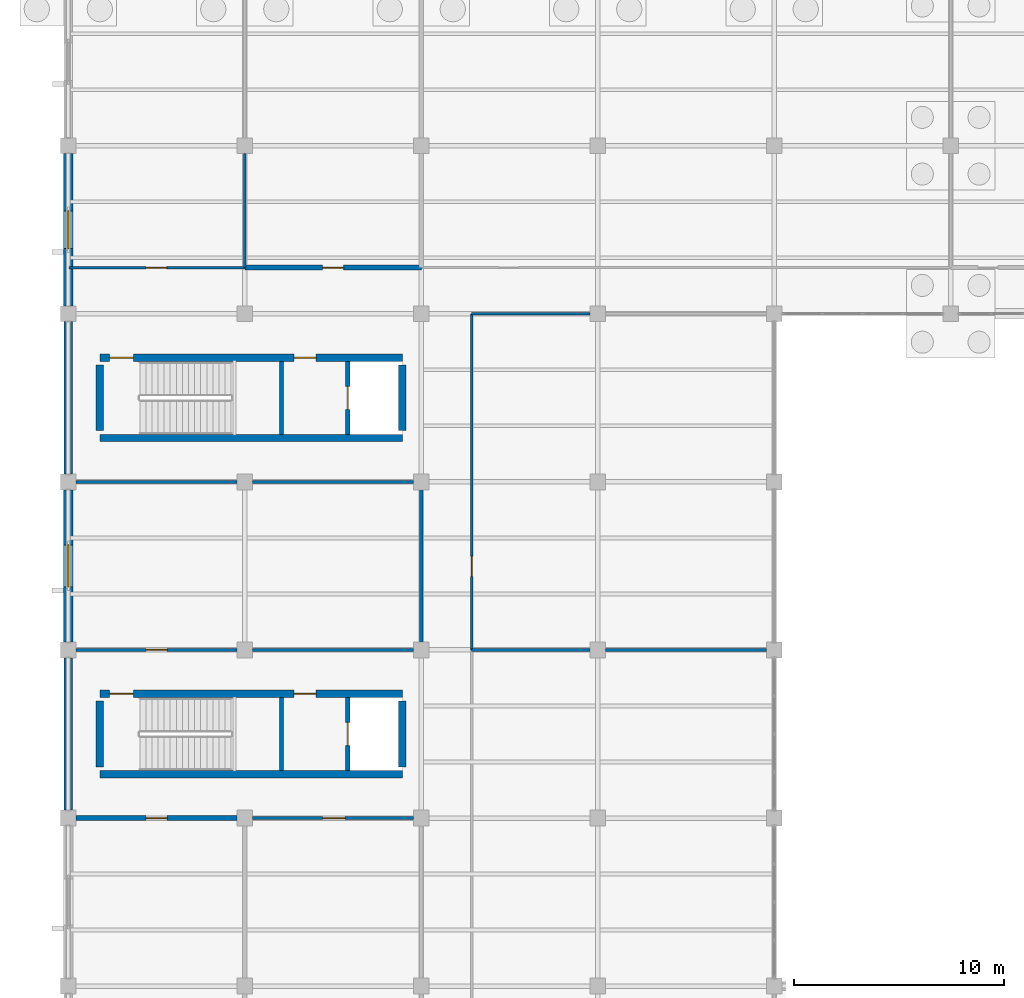
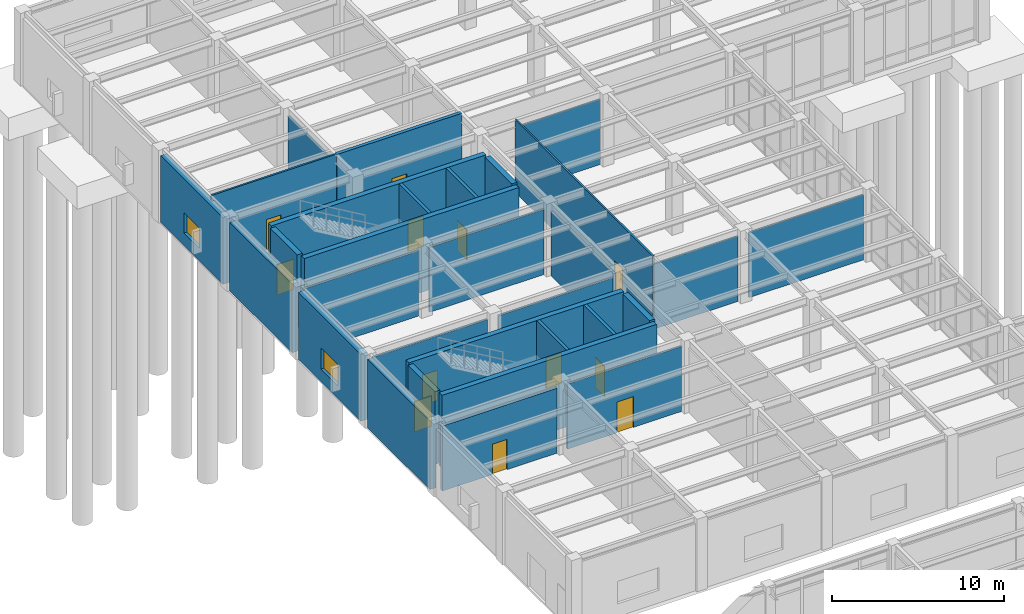
# One storey, part 81 of 138: 30 walls, 12 doors, 2 windows, 14 openings.
"""IFC4 building model written with IfcOpenShell, lengths in metres."""

import ifcopenshell
import ifcopenshell.guid

model = None  # the IFC model being written
_history = None  # IfcOwnerHistory: only IFC2X3 demands one
_inside = {}  # id of a spatial element -> (the spatial element, [elements in it])
_under = {}  # id of a project, library or spatial element -> (it, [spatial elements below it])
_declared = {}  # id of a project -> (the project, [libraries it declares])
_typed = {}  # id of a type object -> (the type object, [elements of that type])
_made_of = {}  # id of a material, layer set ... -> (it, [elements and type objects made of it])


def new_model(schema):
    """Start an empty IFC model of exactly this schema.

    Asked for "IFC4X3", IfcOpenShell would pick the latest addendum, in which some entities
    have other attributes; the version numbers below select the first issue.
    IFC2X3 requires an IfcOwnerHistory on every rooted entity: one is made here for all.
    """
    global model, _history
    if schema == "IFC4X3":
        model = ifcopenshell.file(schema_version=(4, 3, 0, 0))
    else:
        model = ifcopenshell.file(schema=schema)
    _inside.clear()
    _under.clear()
    _declared.clear()
    _typed.clear()
    _made_of.clear()
    _history = None
    if model.schema == "IFC2X3":
        org = make("IfcOrganization", Name="unknown")
        user = make(
            "IfcPersonAndOrganization",
            ThePerson=make("IfcPerson", FamilyName="unknown"),
            TheOrganization=org,
        )
        app = make(
            "IfcApplication",
            ApplicationDeveloper=org,
            Version="unknown",
            ApplicationFullName="unknown",
            ApplicationIdentifier="unknown",
        )
        _history = make(
            "IfcOwnerHistory",
            OwningUser=user,
            OwningApplication=app,
            ChangeAction="ADDED",
            CreationDate=0,
        )
    return model


def make(cls, **values):
    """One entity of the class cls with the attributes given. An attribute that is None is left unset."""
    return model.create_entity(
        cls, **{name: value for name, value in values.items() if value is not None}
    )


def rooted(cls, **values):
    """An entity with a GlobalId (a new one), such as an element, a storey or a relation."""
    return make(cls, GlobalId=ifcopenshell.guid.new(), OwnerHistory=_history, **values)


def si_unit(unit_type, name, prefix=None):
    """IfcSIUnit, for example si_unit("LENGTHUNIT", "METRE", prefix="MILLI")."""
    return make("IfcSIUnit", UnitType=unit_type, Prefix=prefix, Name=name)


def assignment(units):
    """IfcUnitAssignment: the units of a project."""
    return None if units is None else make("IfcUnitAssignment", Units=units)


def point(xyz):
    """IfcCartesianPoint."""
    return None if xyz is None else make("IfcCartesianPoint", Coordinates=xyz)


def direction(xyz):
    """IfcDirection."""
    return None if xyz is None else make("IfcDirection", DirectionRatios=xyz)


def frame(location, z_axis=None, x_axis=None):
    """IfcAxis2Placement3D, a coordinate frame: its origin and axes. An axis left out is left unset."""
    return make(
        "IfcAxis2Placement3D",
        Location=point(location),
        Axis=direction(z_axis),
        RefDirection=direction(x_axis),
    )


def frame_2d(location, x_axis=None):
    """IfcAxis2Placement2D, a coordinate frame in the plane: its origin and x axis."""
    return make(
        "IfcAxis2Placement2D", Location=point(location), RefDirection=direction(x_axis)
    )


def origin():
    """The frame at (0, 0, 0) with its axes left unset."""
    return frame((0.0, 0.0, 0.0))


def place(relative_to, where):
    """IfcLocalPlacement: puts the frame where relative to a parent placement (None: the world)."""
    return make(
        "IfcLocalPlacement", PlacementRelTo=relative_to, RelativePlacement=where
    )


def context(
    kind, dimensions, precision=None, world=None, true_north=None, identifier=None
):
    """IfcGeometricRepresentationContext, for example the 3D "Model" context."""
    return make(
        "IfcGeometricRepresentationContext",
        ContextIdentifier=identifier,
        ContextType=kind,
        CoordinateSpaceDimension=dimensions,
        Precision=precision,
        WorldCoordinateSystem=world,
        TrueNorth=true_north,
    )


def subcontext(parent, identifier, kind, view, scale=None):
    """IfcGeometricRepresentationSubContext, for example "Body" below "Model"."""
    return make(
        "IfcGeometricRepresentationSubContext",
        ContextIdentifier=identifier,
        ContextType=kind,
        ParentContext=parent,
        TargetScale=scale,
        TargetView=view,
    )


def project(units=None, contexts=None):
    """IfcProject with its units and contexts."""
    return rooted(
        "IfcProject",
        Name="project",
        RepresentationContexts=contexts,
        UnitsInContext=assignment(units),
    )


def spatial(cls, under=None, at=None, **own):
    """A site, building, storey or space (cls), placed at a placement, below another one or the project."""
    s = rooted(cls, ObjectPlacement=at, **own)
    if under is not None:
        _under.setdefault(under.id(), (under, []))[1].append(s)
    return s


def profile(cls, at=None, kind="AREA", **sizes):
    """A parametric profile (cls). Its sizes go by their IFC names, for example OverallWidth=200.0."""
    return make(cls, ProfileType=kind, Position=at, **sizes)


def rectangle(**sizes):
    """IfcRectangleProfileDef."""
    return profile("IfcRectangleProfileDef", **sizes)


def extrude(swept, where, along, depth):
    """IfcExtrudedAreaSolid: the profile swept, set in the frame where, extruded along a direction by depth."""
    return make(
        "IfcExtrudedAreaSolid",
        SweptArea=swept,
        Position=where,
        ExtrudedDirection=direction(along),
        Depth=depth,
    )


def shape(context_of_items, identifier, shape_type, items):
    """IfcShapeRepresentation: the items that make up one representation, for example the "Body"."""
    return make(
        "IfcShapeRepresentation",
        ContextOfItems=context_of_items,
        RepresentationIdentifier=identifier,
        RepresentationType=shape_type,
        Items=items,
    )


def material(Name=None, Category=None):
    """IfcMaterial."""
    return make("IfcMaterial", Name=Name, Category=Category)


def layer(
    of_material, thickness, ventilated=None, Name=None, Category=None, Priority=None
):
    """IfcMaterialLayer: one layer of a wall or slab, of a material (None: an air gap)."""
    return make(
        "IfcMaterialLayer",
        Material=of_material,
        LayerThickness=thickness,
        IsVentilated=ventilated,
        Name=Name,
        Category=Category,
        Priority=Priority,
    )


def layer_set(layers, Name=None):
    """IfcMaterialLayerSet."""
    return make("IfcMaterialLayerSet", MaterialLayers=layers, LayerSetName=Name)


def made_of(thing, what):
    """Note that an element or type object is made of a material, layer set ...; save() writes the relation."""
    if what is not None:
        _made_of.setdefault(what.id(), (what, []))[1].append(thing)
    return thing


def type_object(cls, material=None, **own):
    """A type object (cls), such as IfcWallType, which elements share."""
    return made_of(rooted(cls, **own), material)


def element(
    cls,
    number,
    at=None,
    inside=None,
    cuts=None,
    type_object=None,
    material=None,
    context=None,
    identifier="Body",
    shape_type=None,
    held_by="IfcProductDefinitionShape",
    body=None,
    shapes=None,
    **own,
):
    """One element of the class cls, such as IfcWall. Its Tag is "e" and its number.

    at: its placement. inside: the storey or other place that contains it. cuts: it is an
    opening in that element (IfcRelVoidsElement). A single representation is given by context,
    identifier, shape_type and body (its items); several are given by shapes. held_by: the class
    of the entity that holds the representations. save() writes the other relations.
    """
    e = rooted(cls, Tag="e%d" % number, ObjectPlacement=at, **own)
    if body is not None:
        shapes = [shape(context, identifier, shape_type, body)]
    if shapes is not None:
        e.Representation = make(held_by, Representations=shapes)
    if inside is not None:
        _inside.setdefault(inside.id(), (inside, []))[1].append(e)
    if cuts is not None:
        rooted(
            "IfcRelVoidsElement", RelatingBuildingElement=cuts, RelatedOpeningElement=e
        )
    if type_object is not None:
        _typed.setdefault(type_object.id(), (type_object, []))[1].append(e)
    return made_of(e, material)


def fill(opening, filler):
    """IfcRelFillsElement: the door or window that sits in an opening."""
    return rooted(
        "IfcRelFillsElement",
        RelatingOpeningElement=opening,
        RelatedBuildingElement=filler,
    )


def aggregate(whole, parts):
    """IfcRelAggregates: a whole, such as a stair, and the parts it consists of."""
    return rooted("IfcRelAggregates", RelatingObject=whole, RelatedObjects=parts)


def save(model, path):
    """Write the relations noted so far, then the file.

    IfcRelAggregates (storeys below a building ...), IfcRelContainedInSpatialStructure (elements
    in a storey), IfcRelDefinesByType, IfcRelAssociatesMaterial and IfcRelDeclares: one each for
    every whole, place, type object, material and project.
    """
    for whole, parts in _under.values():
        aggregate(whole, parts)
    for where, things in _inside.values():
        rooted(
            "IfcRelContainedInSpatialStructure",
            RelatedElements=things,
            RelatingStructure=where,
        )
    for kind, things in _typed.values():
        rooted("IfcRelDefinesByType", RelatedObjects=things, RelatingType=kind)
    for what, things in _made_of.values():
        rooted("IfcRelAssociatesMaterial", RelatedObjects=things, RelatingMaterial=what)
    for by, libraries in _declared.values():
        rooted("IfcRelDeclares", RelatingContext=by, RelatedDefinitions=libraries)
    model.write(path)


model = new_model("IFC4")

# Units and contexts
model_context = context("Model", 3, precision=1e-05, world=origin(), true_north=direction((0.0, 1.0)))
body_context = subcontext(model_context, "Body", "Model", "MODEL_VIEW")
ifc_project = project(units=[si_unit("LENGTHUNIT", "METRE"), si_unit("AREAUNIT", "SQUARE_METRE"), si_unit("VOLUMEUNIT", "CUBIC_METRE"), si_unit("PLANEANGLEUNIT", "RADIAN"), si_unit("MASSUNIT", "GRAM", prefix="KILO")], contexts=[model_context])

# Site, building, storey
site_placement = place(None, origin())
site = spatial("IfcSite", under=ifc_project, at=site_placement, CompositionType="ELEMENT")
building_placement = place(site_placement, origin())
building = spatial("IfcBuilding", under=site, at=building_placement, Name="Kranzveld Transit Interchange", CompositionType="ELEMENT")
storey_placement = place(building_placement, origin())
storey = spatial("IfcBuildingStorey", under=building, at=storey_placement, Name="L00", CompositionType="ELEMENT", Elevation=0.0)

# Wall
ifc_material_1 = material(Name="Concrete C40/50", Category="concrete")
ifc_layer_1 = layer(ifc_material_1, 0.35009765625)
ifc_layer_set_1 = layer_set([ifc_layer_1], Name="Concrete C40/50")
wall_type_1 = type_object("IfcWallType", Name="Core Shear Wall RC 350 C40/50", PredefinedType="SHEAR", material=ifc_layer_set_1)
wall_1_placement = place(storey_placement, frame((1.5, 66.090087890625, 0.0), z_axis=(0.0, 0.0, 1.0), x_axis=(1.0, 0.0, 0.0)))
element("IfcWall", 1, at=wall_1_placement, inside=storey, type_object=wall_type_1, Name="L00 Operations Core C1 Shear Wall S", PredefinedType="SHEAR", context=body_context, shape_type="SweptSolid", body=[
    extrude(rectangle(XDim=14.39990234375, YDim=0.35009765625, at=frame_2d((7.199951171875, 0.0))), origin(), (0.0, 0.0, 1.0), 5.14990234375),
])

# Wall, openings, doors
wall_2_placement = place(storey_placement, frame((1.5, 69.909912109375, 0.0), z_axis=(0.0, 0.0, 1.0), x_axis=(1.0, 0.0, 0.0)))
wall_2 = element("IfcWall", 2, at=wall_2_placement, inside=storey, type_object=wall_type_1, Name="L00 Operations Core C1 Shear Wall N", PredefinedType="SHEAR", context=body_context, shape_type="SweptSolid", body=[
    extrude(rectangle(XDim=14.39990234375, YDim=0.35009765625, at=frame_2d((7.199951171875, 0.0))), origin(), (0.0, 0.0, 1.0), 5.14990234375),
])
opening_1_placement = place(wall_2_placement, frame((0.449951171875, 0.0, 0.0), z_axis=(0.0, 0.0, 1.0), x_axis=(1.0, 0.0, 0.0)))
opening_1 = element("IfcOpeningElement", 3, at=opening_1_placement, cuts=wall_2, Name="Opening D-ST-C1-L00", PredefinedType="OPENING", context=body_context, shape_type="SweptSolid", body=[
    extrude(rectangle(XDim=1.14990234375, YDim=2.14990234375, at=frame_2d((0.574951171875, 1.074951171875))), frame((0.0, 0.18505859375, 0.0), z_axis=(0.0, -1.0, 0.0), x_axis=(1.0, 0.0, 0.0)), (0.0, 0.0, 1.0), 0.3701171875),
])
opening_2_placement = place(wall_2_placement, frame((9.25, 0.0, 0.0), z_axis=(0.0, 0.0, 1.0), x_axis=(1.0, 0.0, 0.0)))
opening_2 = element("IfcOpeningElement", 4, at=opening_2_placement, cuts=wall_2, Name="Opening D-LB-C1-L00", PredefinedType="OPENING", context=body_context, shape_type="SweptSolid", body=[
    extrude(rectangle(XDim=1.050048828125, YDim=2.14990234375, at=frame_2d((0.52490234375, 1.074951171875))), frame((0.0, 0.18505859375, 0.0), z_axis=(0.0, -1.0, 0.0), x_axis=(1.0, 0.0, 0.0)), (0.0, 0.0, 1.0), 0.3701171875),
])
ifc_material_2 = material(Name="Steel S355JR", Category="steel")
door_type_1 = type_object("IfcDoorType", Name="Lift Lobby Fire Door 1050x2150 FD120S", OperationType="NOTDEFINED", PredefinedType="DOOR", material=ifc_material_2)
door_1_placement = place(opening_2_placement, origin())
door_1 = element("IfcDoor", 5, at=door_1_placement, inside=storey, type_object=door_type_1, Name="L00 Operations Core C1 Lift Protected Lobby Door", OperationType="SINGLE_SWING_RIGHT", OverallHeight=2.14990234375, OverallWidth=1.050048828125, PredefinedType="DOOR", context=body_context, shape_type="SweptSolid", body=[
    extrude(rectangle(XDim=1.050048828125, YDim=2.14990234375, at=frame_2d((0.52490234375, 1.074951171875))), frame((0.0, 0.02490234375, 0.0), z_axis=(0.0, -1.0, 0.0), x_axis=(1.0, 0.0, 0.0)), (0.0, 0.0, 1.0), 0.050048828125),
])
fill(opening_2, door_1)
ifc_material_3 = material(Name="Steel S355JR", Category="steel")
door_type_2 = type_object("IfcDoorType", Name="Stair Core Fire Door 1150x2150 FD120S", OperationType="NOTDEFINED", PredefinedType="DOOR", material=ifc_material_3)
door_2_placement = place(opening_1_placement, origin())
door_2 = element("IfcDoor", 6, at=door_2_placement, inside=storey, type_object=door_type_2, Name="L00 ST-C1 Protected Stair Door", OperationType="SINGLE_SWING_RIGHT", OverallHeight=2.14990234375, OverallWidth=1.14990234375, PredefinedType="DOOR", context=body_context, shape_type="SweptSolid", body=[
    extrude(rectangle(XDim=1.14990234375, YDim=2.14990234375, at=frame_2d((0.574951171875, 1.074951171875))), frame((0.0, 0.02490234375, 0.0), z_axis=(0.0, -1.0, 0.0), x_axis=(1.0, 0.0, 0.0)), (0.0, 0.0, 1.0), 0.050048828125),
])
fill(opening_1, door_2)

# Walls
for number, where, z_axis, x_axis, name in (
    (7, (1.5, 66.43994140625, 0.0), (0.0, 0.0, 1.0), (0.0, 1.0, 0.0), "L00 Operations Core C1 Shear Wall W"),
    (8, (15.89990234375, 66.43994140625, 0.0), (0.0, 0.0, 1.0), (0.0, 1.0, 0.0), "L00 Operations Core C1 Shear Wall E"),
):
    element("IfcWall", number, at=place(storey_placement, frame(where, z_axis=z_axis, x_axis=x_axis)), inside=storey, type_object=wall_type_1, Name=name, PredefinedType="SHEAR", context=body_context, shape_type="SweptSolid", body=[
        extrude(rectangle(XDim=3.1201171875, YDim=0.35009765625, at=frame_2d((1.56005859375, 0.0))), origin(), (0.0, 0.0, 1.0), 5.14990234375),
    ])
wall_3_placement = place(storey_placement, frame((1.5, 82.090087890625, 0.0), z_axis=(0.0, 0.0, 1.0), x_axis=(1.0, 0.0, 0.0)))
element("IfcWall", 9, at=wall_3_placement, inside=storey, type_object=wall_type_1, Name="L00 Operations Core C2 Shear Wall S", PredefinedType="SHEAR", context=body_context, shape_type="SweptSolid", body=[
    extrude(rectangle(XDim=14.39990234375, YDim=0.35009765625, at=frame_2d((7.199951171875, 0.0))), origin(), (0.0, 0.0, 1.0), 5.14990234375),
])

# Wall, openings, doors
wall_4_placement = place(storey_placement, frame((1.5, 85.909912109375, 0.0), z_axis=(0.0, 0.0, 1.0), x_axis=(1.0, 0.0, 0.0)))
wall_4 = element("IfcWall", 10, at=wall_4_placement, inside=storey, type_object=wall_type_1, Name="L00 Operations Core C2 Shear Wall N", PredefinedType="SHEAR", context=body_context, shape_type="SweptSolid", body=[
    extrude(rectangle(XDim=14.39990234375, YDim=0.35009765625, at=frame_2d((7.199951171875, 0.0))), origin(), (0.0, 0.0, 1.0), 5.14990234375),
])
opening_3_placement = place(wall_4_placement, frame((0.449951171875, 0.0, 0.0), z_axis=(0.0, 0.0, 1.0), x_axis=(1.0, 0.0, 0.0)))
opening_3 = element("IfcOpeningElement", 11, at=opening_3_placement, cuts=wall_4, Name="Opening D-ST-C2-L00", PredefinedType="OPENING", context=body_context, shape_type="SweptSolid", body=[
    extrude(rectangle(XDim=1.14990234375, YDim=2.14990234375, at=frame_2d((0.574951171875, 1.074951171875))), frame((0.0, 0.18505859375, 0.0), z_axis=(0.0, -1.0, 0.0), x_axis=(1.0, 0.0, 0.0)), (0.0, 0.0, 1.0), 0.3701171875),
])
opening_4_placement = place(wall_4_placement, frame((9.25, 0.0, 0.0), z_axis=(0.0, 0.0, 1.0), x_axis=(1.0, 0.0, 0.0)))
opening_4 = element("IfcOpeningElement", 12, at=opening_4_placement, cuts=wall_4, Name="Opening D-LB-C2-L00", PredefinedType="OPENING", context=body_context, shape_type="SweptSolid", body=[
    extrude(rectangle(XDim=1.050048828125, YDim=2.14990234375, at=frame_2d((0.52490234375, 1.074951171875))), frame((0.0, 0.18505859375, 0.0), z_axis=(0.0, -1.0, 0.0), x_axis=(1.0, 0.0, 0.0)), (0.0, 0.0, 1.0), 0.3701171875),
])
door_3_placement = place(opening_4_placement, origin())
door_3 = element("IfcDoor", 13, at=door_3_placement, inside=storey, type_object=door_type_1, Name="L00 Operations Core C2 Lift Protected Lobby Door", OperationType="SINGLE_SWING_RIGHT", OverallHeight=2.14990234375, OverallWidth=1.050048828125, PredefinedType="DOOR", context=body_context, shape_type="SweptSolid", body=[
    extrude(rectangle(XDim=1.050048828125, YDim=2.14990234375, at=frame_2d((0.52490234375, 1.074951171875))), frame((0.0, 0.02490234375, 0.0), z_axis=(0.0, -1.0, 0.0), x_axis=(1.0, 0.0, 0.0)), (0.0, 0.0, 1.0), 0.050048828125),
])
fill(opening_4, door_3)
door_4_placement = place(opening_3_placement, origin())
door_4 = element("IfcDoor", 14, at=door_4_placement, inside=storey, type_object=door_type_2, Name="L00 ST-C2 Protected Stair Door", OperationType="SINGLE_SWING_RIGHT", OverallHeight=2.14990234375, OverallWidth=1.14990234375, PredefinedType="DOOR", context=body_context, shape_type="SweptSolid", body=[
    extrude(rectangle(XDim=1.14990234375, YDim=2.14990234375, at=frame_2d((0.574951171875, 1.074951171875))), frame((0.0, 0.02490234375, 0.0), z_axis=(0.0, -1.0, 0.0), x_axis=(1.0, 0.0, 0.0)), (0.0, 0.0, 1.0), 0.050048828125),
])
fill(opening_3, door_4)

# Walls
for number, where, z_axis, x_axis, name in (
    (15, (1.5, 82.43994140625, 0.0), (0.0, 0.0, 1.0), (0.0, 1.0, 0.0), "L00 Operations Core C2 Shear Wall W"),
    (16, (15.89990234375, 82.43994140625, 0.0), (0.0, 0.0, 1.0), (0.0, 1.0, 0.0), "L00 Operations Core C2 Shear Wall E"),
):
    element("IfcWall", number, at=place(storey_placement, frame(where, z_axis=z_axis, x_axis=x_axis)), inside=storey, type_object=wall_type_1, Name=name, PredefinedType="SHEAR", context=body_context, shape_type="SweptSolid", body=[
        extrude(rectangle(XDim=3.1201171875, YDim=0.35009765625, at=frame_2d((1.56005859375, 0.0))), origin(), (0.0, 0.0, 1.0), 5.14990234375),
    ])
ifc_material_4 = material(Name="Dark Pretoria clinker clay plinth brick, 40 MPa", Category="masonry")
ifc_layer_2 = layer(ifc_material_4, 0.409912109375)
ifc_layer_set_2 = layer_set([ifc_layer_2], Name="Dark Pretoria clinker clay plinth brick, 40 MPa")
wall_type_2 = type_object("IfcWallType", Name="Exterior Arcade Wall Dark Clinker 410", PredefinedType="SOLIDWALL", material=ifc_layer_set_2)
for number, where, z_axis, x_axis, name in (
    (17, (0.0, 64.375, 0.0), (0.0, 0.0, 1.0), (0.0, 1.0, 0.0), "L00 Clinker Facade Wall 01/J-01/K"),
    (18, (0.0, 80.375, 0.0), (0.0, 0.0, 1.0), (0.0, 1.0, 0.0), "L00 Clinker Facade Wall 01/L-01/M"),
):
    element("IfcWall", number, at=place(storey_placement, frame(where, z_axis=z_axis, x_axis=x_axis)), inside=storey, type_object=wall_type_2, Name=name, PredefinedType="SOLIDWALL", context=body_context, shape_type="SweptSolid", body=[
        extrude(rectangle(XDim=7.25, YDim=0.409912109375, at=frame_2d((3.625, 0.0))), origin(), (0.0, 0.0, 1.0), 4.85009765625),
    ])

# Wall, opening, window
ifc_material_5 = material(Name="Dark Pretoria clinker clay plinth brick, 40 MPa", Category="masonry")
ifc_layer_3 = layer(ifc_material_5, 0.43994140625)
ifc_layer_set_3 = layer_set([ifc_layer_3], Name="Dark Pretoria clinker clay plinth brick, 40 MPa")
wall_type_3 = type_object("IfcWallType", Name="Exterior Plinth Wall Dark Clinker 440", PredefinedType="SOLIDWALL", material=ifc_layer_set_3)
wall_5_placement = place(storey_placement, frame((0.0, 72.375, 0.0), z_axis=(0.0, 0.0, 1.0), x_axis=(0.0, 1.0, 0.0)))
wall_5 = element("IfcWall", 19, at=wall_5_placement, inside=storey, type_object=wall_type_3, Name="L00 Clinker Facade Wall 01/K-01/L", PredefinedType="SOLIDWALL", context=body_context, shape_type="SweptSolid", body=[
    extrude(rectangle(XDim=7.25, YDim=0.43994140625, at=frame_2d((3.625, 0.0))), origin(), (0.0, 0.0, 1.0), 4.747314453125),
])
opening_5_placement = place(wall_5_placement, frame((2.625, 0.0, 0.89990234375), z_axis=(0.0, 0.0, 1.0), x_axis=(1.0, 0.0, 0.0)))
opening_5 = element("IfcOpeningElement", 20, at=opening_5_placement, cuts=wall_5, Name="Opening W-10", PredefinedType="OPENING", context=body_context, shape_type="SweptSolid", body=[
    extrude(rectangle(XDim=2.0, YDim=1.5, at=frame_2d((1.0, 0.75))), frame((0.0, 0.22998046875, 0.0), z_axis=(0.0, -1.0, 0.0), x_axis=(1.0, 0.0, 0.0)), (0.0, 0.0, 1.0), 0.4599609375),
])
ifc_material_6 = material(Name="Solar-control double glazing", Category="glass")
window_type_1 = type_object("IfcWindowType", Name="Window Office Double 2000x1500", PartitioningType="DOUBLE_PANEL_VERTICAL", PredefinedType="WINDOW", material=ifc_material_6)
window_1_placement = place(opening_5_placement, origin())
window_1 = element("IfcWindow", 21, at=window_1_placement, inside=storey, type_object=window_type_1, Name="L00 Facade Window 01/K", OverallHeight=1.5, OverallWidth=2.0, PartitioningType="DOUBLE_PANEL_VERTICAL", PredefinedType="WINDOW", context=body_context, shape_type="SweptSolid", body=[
    extrude(rectangle(XDim=2.0, YDim=1.5, at=frame_2d((1.0, 0.75))), frame((0.0, 0.030029296875, 0.0), z_axis=(0.0, -1.0, 0.0), x_axis=(1.0, 0.0, 0.0)), (0.0, 0.0, 1.0), 0.06005859375),
])
fill(opening_5, window_1)

wall_6_placement = place(storey_placement, frame((0.0, 88.375, 0.0), z_axis=(0.0, 0.0, 1.0), x_axis=(0.0, 1.0, 0.0)))
wall_6 = element("IfcWall", 22, at=wall_6_placement, inside=storey, type_object=wall_type_3, Name="L00 Clinker Facade Wall 01/M-01/N", PredefinedType="SOLIDWALL", context=body_context, shape_type="SweptSolid", body=[
    extrude(rectangle(XDim=7.25, YDim=0.43994140625, at=frame_2d((3.625, 0.0))), origin(), (0.0, 0.0, 1.0), 4.747314453125),
])
opening_6_placement = place(wall_6_placement, frame((2.72509765625, 0.0, 0.89990234375), z_axis=(0.0, 0.0, 1.0), x_axis=(1.0, 0.0, 0.0)))
opening_6 = element("IfcOpeningElement", 23, at=opening_6_placement, cuts=wall_6, Name="Opening W-11", PredefinedType="OPENING", context=body_context, shape_type="SweptSolid", body=[
    extrude(rectangle(XDim=1.800048828125, YDim=1.449951171875, at=frame_2d((0.89990234375, 0.72509765625))), frame((0.0, 0.22998046875, 0.0), z_axis=(0.0, -1.0, 0.0), x_axis=(1.0, 0.0, 0.0)), (0.0, 0.0, 1.0), 0.4599609375),
])
ifc_material_7 = material(Name="Solar-control double glazing", Category="glass")
window_type_2 = type_object("IfcWindowType", Name="Window Office Double 1800x1450", PartitioningType="DOUBLE_PANEL_VERTICAL", PredefinedType="WINDOW", material=ifc_material_7)
window_2_placement = place(opening_6_placement, origin())
window_2 = element("IfcWindow", 24, at=window_2_placement, inside=storey, type_object=window_type_2, Name="L00 Facade Window 01/M", OverallHeight=1.449951171875, OverallWidth=1.800048828125, PartitioningType="DOUBLE_PANEL_VERTICAL", PredefinedType="WINDOW", context=body_context, shape_type="SweptSolid", body=[
    extrude(rectangle(XDim=1.800048828125, YDim=1.449951171875, at=frame_2d((0.89990234375, 0.72509765625))), frame((0.0, 0.030029296875, 0.0), z_axis=(0.0, -1.0, 0.0), x_axis=(1.0, 0.0, 0.0)), (0.0, 0.0, 1.0), 0.06005859375),
])
fill(opening_6, window_2)

# Wall, opening, door
ifc_material_8 = material(Name="Clay masonry unit wall, 20 MPa", Category="masonry")
ifc_layer_4 = layer(ifc_material_8, 0.22998046875)
ifc_layer_set_4 = layer_set([ifc_layer_4], Name="Clay masonry unit wall, 20 MPa")
wall_type_4 = type_object("IfcWallType", Name="Fire Compartment Wall Masonry 230 EI120", PredefinedType="PARTITIONING", material=ifc_layer_set_4)
wall_7_placement = place(storey_placement, frame((0.364990234375, 64.0, 0.0), z_axis=(0.0, 0.0, 1.0), x_axis=(1.0, 0.0, 0.0)))
wall_7 = element("IfcWall", 25, at=wall_7_placement, inside=storey, type_object=wall_type_4, Name="L00 Partition IW-L00-L00V5S-FRT-030-0", PredefinedType="PARTITIONING", context=body_context, shape_type="SweptSolid", body=[
    extrude(rectangle(XDim=7.669921875, YDim=0.22998046875, at=frame_2d((3.8349609375, 0.0))), origin(), (0.0, 0.0, 1.0), 4.60546875),
])
opening_7_placement = place(wall_7_placement, frame((4.3349609375, 0.0, 0.0), z_axis=(0.0, 0.0, 1.0), x_axis=(-1.0, 0.0, 0.0)))
opening_7 = element("IfcOpeningElement", 26, at=opening_7_placement, cuts=wall_7, Name="Opening D-030", PredefinedType="OPENING", context=body_context, shape_type="SweptSolid", body=[
    extrude(rectangle(XDim=1.0, YDim=2.14990234375, at=frame_2d((0.5, 1.074951171875))), frame((0.0, 0.125, 0.0), z_axis=(0.0, -1.0, 0.0), x_axis=(1.0, 0.0, 0.0)), (0.0, 0.0, 1.0), 0.25),
])
ifc_material_9 = material(Name="Steel S355JR", Category="steel")
door_type_3 = type_object("IfcDoorType", Name="Fire Door Single 1000x2150 FD120S", OperationType="NOTDEFINED", PredefinedType="DOOR", material=ifc_material_9)
door_5_placement = place(opening_7_placement, origin())
door_5 = element("IfcDoor", 27, at=door_5_placement, inside=storey, type_object=door_type_3, Name="L00 Interior Door D-030", OperationType="SINGLE_SWING_LEFT", OverallHeight=2.14990234375, OverallWidth=1.0, PredefinedType="DOOR", context=body_context, shape_type="SweptSolid", body=[
    extrude(rectangle(XDim=1.0, YDim=2.14990234375, at=frame_2d((0.5, 1.074951171875))), frame((0.0, 0.02490234375, 0.0), z_axis=(0.0, -1.0, 0.0), x_axis=(1.0, 0.0, 0.0)), (0.0, 0.0, 1.0), 0.050048828125),
])
fill(opening_7, door_5)

wall_8_placement = place(storey_placement, frame((8.39990234375, 90.199951171875, 0.0), z_axis=(0.0, 0.0, 1.0), x_axis=(1.0, 0.0, 0.0)))
wall_8 = element("IfcWall", 28, at=wall_8_placement, inside=storey, type_object=wall_type_4, Name="L00 Partition IW-L00-L00V5N-FRT-033-0", PredefinedType="PARTITIONING", context=body_context, shape_type="SweptSolid", body=[
    extrude(rectangle(XDim=8.400146484375, YDim=0.22998046875, at=frame_2d((4.2001953125, 0.0))), origin(), (0.0, 0.0, 1.0), 5.14990234375),
])
opening_8_placement = place(wall_8_placement, frame((3.699951171875, 0.0, 0.0), z_axis=(0.0, 0.0, 1.0), x_axis=(1.0, 0.0, 0.0)))
opening_8 = element("IfcOpeningElement", 29, at=opening_8_placement, cuts=wall_8, Name="Opening D-033", PredefinedType="OPENING", context=body_context, shape_type="SweptSolid", body=[
    extrude(rectangle(XDim=1.0, YDim=2.14990234375, at=frame_2d((0.5, 1.074951171875))), frame((0.0, 0.125, 0.0), z_axis=(0.0, -1.0, 0.0), x_axis=(1.0, 0.0, 0.0)), (0.0, 0.0, 1.0), 0.25),
])
door_6_placement = place(opening_8_placement, origin())
door_6 = element("IfcDoor", 30, at=door_6_placement, inside=storey, type_object=door_type_3, Name="L00 Interior Door D-033", OperationType="SINGLE_SWING_RIGHT", OverallHeight=2.14990234375, OverallWidth=1.0, PredefinedType="DOOR", context=body_context, shape_type="SweptSolid", body=[
    extrude(rectangle(XDim=1.0, YDim=2.14990234375, at=frame_2d((0.5, 1.074951171875))), frame((0.0, 0.02490234375, 0.0), z_axis=(0.0, -1.0, 0.0), x_axis=(1.0, 0.0, 0.0)), (0.0, 0.0, 1.0), 0.050048828125),
])
fill(opening_8, door_6)

ifc_material_10 = material(Name="Clay masonry unit wall, 20 MPa", Category="masonry")
ifc_layer_5 = layer(ifc_material_10, 0.14990234375)
ifc_layer_set_5 = layer_set([ifc_layer_5], Name="Clay masonry unit wall, 20 MPa")
wall_type_5 = type_object("IfcWallType", Name="Fire Rated Partition Wall 150 EI60", PredefinedType="PARTITIONING", material=ifc_layer_set_5)
wall_9_placement = place(storey_placement, frame((8.764892578125, 64.0, 0.0), z_axis=(0.0, 0.0, 1.0), x_axis=(1.0, 0.0, 0.0)))
wall_9 = element("IfcWall", 31, at=wall_9_placement, inside=storey, type_object=wall_type_5, Name="L00 Partition IW-L00-L00V5S-FRT-031-0", PredefinedType="PARTITIONING", context=body_context, shape_type="SweptSolid", body=[
    extrude(rectangle(XDim=7.670166015625, YDim=0.14990234375, at=frame_2d((3.8349609375, 0.0))), origin(), (0.0, 0.0, 1.0), 4.60546875),
])
opening_9_placement = place(wall_9_placement, frame((4.4150390625, 0.0, 0.0), z_axis=(0.0, 0.0, 1.0), x_axis=(-1.0, 0.0, 0.0)))
opening_9 = element("IfcOpeningElement", 32, at=opening_9_placement, cuts=wall_9, Name="Opening D-031", PredefinedType="OPENING", context=body_context, shape_type="SweptSolid", body=[
    extrude(rectangle(XDim=1.080078125, YDim=2.179931640625, at=frame_2d((0.5400390625, 1.08984375))), frame((0.0, 0.0849609375, 0.0), z_axis=(0.0, -1.0, 0.0), x_axis=(1.0, 0.0, 0.0)), (0.0, 0.0, 1.0), 0.169921875),
])
ifc_material_11 = material(Name="Steel S355JR", Category="steel")
door_type_4 = type_object("IfcDoorType", Name="Fire Rated Plant Door 1080x2180 FD60S", OperationType="NOTDEFINED", PredefinedType="DOOR", material=ifc_material_11)
door_7_placement = place(opening_9_placement, origin())
door_7 = element("IfcDoor", 33, at=door_7_placement, inside=storey, type_object=door_type_4, Name="L00 Interior Door D-031", OperationType="SINGLE_SWING_RIGHT", OverallHeight=2.179931640625, OverallWidth=1.080078125, PredefinedType="DOOR", context=body_context, shape_type="SweptSolid", body=[
    extrude(rectangle(XDim=1.080078125, YDim=2.179931640625, at=frame_2d((0.5400390625, 1.08984375))), frame((0.0, 0.02490234375, 0.0), z_axis=(0.0, -1.0, 0.0), x_axis=(1.0, 0.0, 0.0)), (0.0, 0.0, 1.0), 0.050048828125),
])
fill(opening_9, door_7)

wall_10_placement = place(storey_placement, frame((0.364990234375, 72.0, 0.0), z_axis=(0.0, 0.0, 1.0), x_axis=(1.0, 0.0, 0.0)))
wall_10 = element("IfcWall", 34, at=wall_10_placement, inside=storey, type_object=wall_type_5, Name="L00 Partition IW-L00-L00V5M-FRT-044-0", PredefinedType="PARTITIONING", context=body_context, shape_type="SweptSolid", body=[
    extrude(rectangle(XDim=7.669921875, YDim=0.14990234375, at=frame_2d((3.8349609375, 0.0))), origin(), (0.0, 0.0, 1.0), 4.60546875),
])
opening_10_placement = place(wall_10_placement, frame((3.3349609375, 0.0, 0.0), z_axis=(0.0, 0.0, 1.0), x_axis=(1.0, 0.0, 0.0)))
opening_10 = element("IfcOpeningElement", 35, at=opening_10_placement, cuts=wall_10, Name="Opening D-044", PredefinedType="OPENING", context=body_context, shape_type="SweptSolid", body=[
    extrude(rectangle(XDim=1.0, YDim=2.14990234375, at=frame_2d((0.5, 1.074951171875))), frame((0.0, 0.0849609375, 0.0), z_axis=(0.0, -1.0, 0.0), x_axis=(1.0, 0.0, 0.0)), (0.0, 0.0, 1.0), 0.169921875),
])
ifc_material_12 = material(Name="Steel S355JR", Category="steel")
door_type_5 = type_object("IfcDoorType", Name="Fire Door Single 1000x2150 FD60S", OperationType="NOTDEFINED", PredefinedType="DOOR", material=ifc_material_12)
door_8_placement = place(opening_10_placement, origin())
door_8 = element("IfcDoor", 36, at=door_8_placement, inside=storey, type_object=door_type_5, Name="L00 Interior Door D-044", OperationType="SINGLE_SWING_LEFT", OverallHeight=2.14990234375, OverallWidth=1.0, PredefinedType="DOOR", context=body_context, shape_type="SweptSolid", body=[
    extrude(rectangle(XDim=1.0, YDim=2.14990234375, at=frame_2d((0.5, 1.074951171875))), frame((0.0, 0.02490234375, 0.0), z_axis=(0.0, -1.0, 0.0), x_axis=(1.0, 0.0, 0.0)), (0.0, 0.0, 1.0), 0.050048828125),
])
fill(opening_10, door_8)

# Walls
wall_11_placement = place(storey_placement, frame((8.764892578125, 72.0, 0.0), z_axis=(0.0, 0.0, 1.0), x_axis=(1.0, 0.0, 0.0)))
element("IfcWall", 37, at=wall_11_placement, inside=storey, type_object=wall_type_5, Name="L00 Partition IW-L00-L00V5M-FRT-044-1", PredefinedType="PARTITIONING", context=body_context, shape_type="SweptSolid", body=[
    extrude(rectangle(XDim=7.670166015625, YDim=0.14990234375, at=frame_2d((3.8349609375, 0.0))), origin(), (0.0, 0.0, 1.0), 4.60546875),
])
wall_12_placement = place(storey_placement, frame((0.364990234375, 80.0, 0.0), z_axis=(0.0, 0.0, 1.0), x_axis=(1.0, 0.0, 0.0)))
element("IfcWall", 38, at=wall_12_placement, inside=storey, type_object=wall_type_5, Name="L00 Partition IW-L00-L00V5M-BCK-044-0", PredefinedType="PARTITIONING", context=body_context, shape_type="SweptSolid", body=[
    extrude(rectangle(XDim=7.669921875, YDim=0.14990234375, at=frame_2d((3.8349609375, 0.0))), origin(), (0.0, 0.0, 1.0), 4.60546875),
])
wall_13_placement = place(storey_placement, frame((8.764892578125, 80.0, 0.0), z_axis=(0.0, 0.0, 1.0), x_axis=(1.0, 0.0, 0.0)))
element("IfcWall", 39, at=wall_13_placement, inside=storey, type_object=wall_type_5, Name="L00 Partition IW-L00-L00V5M-BCK-044-1", PredefinedType="PARTITIONING", context=body_context, shape_type="SweptSolid", body=[
    extrude(rectangle(XDim=7.670166015625, YDim=0.14990234375, at=frame_2d((3.8349609375, 0.0))), origin(), (0.0, 0.0, 1.0), 4.60546875),
])
wall_14_placement = place(storey_placement, frame((16.800048828125, 72.364990234375, 0.0), z_axis=(0.0, 0.0, 1.0), x_axis=(0.0, 1.0, 0.0)))
element("IfcWall", 40, at=wall_14_placement, inside=storey, type_object=wall_type_5, Name="L00 Partition IW-L00-L00V5M-E-044-0", PredefinedType="PARTITIONING", context=body_context, shape_type="SweptSolid", body=[
    extrude(rectangle(XDim=7.27001953125, YDim=0.14990234375, at=frame_2d((3.635009765625, 0.0))), origin(), (0.0, 0.0, 1.0), 4.54248046875),
])

# Wall, opening, door
ifc_material_13 = material(Name="Clay masonry unit wall, 20 MPa", Category="masonry")
ifc_layer_6 = layer(ifc_material_13, 0.125)
ifc_layer_set_6 = layer_set([ifc_layer_6], Name="Clay masonry unit wall, 20 MPa")
wall_type_6 = type_object("IfcWallType", Name="Internal Blockwork Partition 125", PredefinedType="PARTITIONING", material=ifc_layer_set_6)
wall_15_placement = place(storey_placement, frame((0.0400390625, 90.199951171875, 0.0), z_axis=(0.0, 0.0, 1.0), x_axis=(1.0, 0.0, 0.0)))
wall_15 = element("IfcWall", 41, at=wall_15_placement, inside=storey, type_object=wall_type_6, Name="L00 Partition IW-L00-L00V5N-FRT-032-0", PredefinedType="PARTITIONING", context=body_context, shape_type="SweptSolid", body=[
    extrude(rectangle(XDim=8.35986328125, YDim=0.125, at=frame_2d((4.179931640625, 0.0))), origin(), (0.0, 0.0, 1.0), 5.14990234375),
])
opening_11_placement = place(wall_15_placement, frame((3.659912109375, 0.0, 0.0), z_axis=(0.0, 0.0, 1.0), x_axis=(1.0, 0.0, 0.0)))
opening_11 = element("IfcOpeningElement", 42, at=opening_11_placement, cuts=wall_15, Name="Opening D-032", PredefinedType="OPENING", context=body_context, shape_type="SweptSolid", body=[
    extrude(rectangle(XDim=0.97998046875, YDim=2.14990234375, at=frame_2d((0.489990234375, 1.074951171875))), frame((0.0, 0.072509765625, 0.0), z_axis=(0.0, -1.0, 0.0), x_axis=(1.0, 0.0, 0.0)), (0.0, 0.0, 1.0), 0.14501953125),
])
ifc_material_14 = material(Name="Bronze-anodised thermally broken aluminium", Category="aluminium")
door_type_6 = type_object("IfcDoorType", Name="Retail Back-of-House Door 980x2150", OperationType="NOTDEFINED", PredefinedType="DOOR", material=ifc_material_14)
door_9_placement = place(opening_11_placement, origin())
door_9 = element("IfcDoor", 43, at=door_9_placement, inside=storey, type_object=door_type_6, Name="L00 Interior Door D-032", OperationType="SINGLE_SWING_LEFT", OverallHeight=2.14990234375, OverallWidth=0.97998046875, PredefinedType="DOOR", context=body_context, shape_type="SweptSolid", body=[
    extrude(rectangle(XDim=0.97998046875, YDim=2.14990234375, at=frame_2d((0.489990234375, 1.074951171875))), frame((0.0, 0.02490234375, 0.0), z_axis=(0.0, -1.0, 0.0), x_axis=(1.0, 0.0, 0.0)), (0.0, 0.0, 1.0), 0.050048828125),
])
fill(opening_11, door_9)

# Walls
wall_16_placement = place(storey_placement, frame((19.199951171875, 72.0, 0.0), z_axis=(0.0, 0.0, 1.0), x_axis=(1.0, 0.0, 0.0)))
element("IfcWall", 44, at=wall_16_placement, inside=storey, type_object=wall_type_6, Name="L00 Partition IW-L00-L00V5E-N-036-0", PredefinedType="PARTITIONING", context=body_context, shape_type="SweptSolid", body=[
    extrude(rectangle(XDim=5.635009765625, YDim=0.125, at=frame_2d((2.8173828125, 0.0))), origin(), (0.0, 0.0, 1.0), 4.60546875),
])
wall_17_placement = place(storey_placement, frame((25.56494140625, 72.0, 0.0), z_axis=(0.0, 0.0, 1.0), x_axis=(1.0, 0.0, 0.0)))
element("IfcWall", 45, at=wall_17_placement, inside=storey, type_object=wall_type_6, Name="L00 Partition IW-L00-L00V5E-N-036-1", PredefinedType="PARTITIONING", context=body_context, shape_type="SweptSolid", body=[
    extrude(rectangle(XDim=7.670166015625, YDim=0.125, at=frame_2d((3.8349609375, 0.0))), origin(), (0.0, 0.0, 1.0), 4.60546875),
])
wall_18_placement = place(storey_placement, frame((8.39990234375, 90.199951171875, 0.0), z_axis=(0.0, 0.0, 1.0), x_axis=(0.0, 1.0, 0.0)))
element("IfcWall", 46, at=wall_18_placement, inside=storey, type_object=wall_type_6, Name="L00 Partition IW-L00-L00V5N-E-032-0", PredefinedType="PARTITIONING", context=body_context, shape_type="SweptSolid", body=[
    extrude(rectangle(XDim=5.43505859375, YDim=0.125, at=frame_2d((2.717529296875, 0.0))), origin(), (0.0, 0.0, 1.0), 4.54248046875),
])

# Wall, opening, door
ifc_material_15 = material(Name="Clay masonry unit wall, 20 MPa", Category="masonry")
ifc_layer_7 = layer(ifc_material_15, 0.114990234375)
ifc_layer_set_7 = layer_set([ifc_layer_7], Name="Clay masonry unit wall, 20 MPa")
wall_type_7 = type_object("IfcWallType", Name="Internal Masonry Partition 115", PredefinedType="PARTITIONING", material=ifc_layer_set_7)
wall_19_placement = place(storey_placement, frame((19.199951171875, 72.0, 0.0), z_axis=(0.0, 0.0, 1.0), x_axis=(0.0, 1.0, 0.0)))
wall_19 = element("IfcWall", 47, at=wall_19_placement, inside=storey, type_object=wall_type_7, Name="L00 Partition IW-L00-L00V5E-FRT-037-0", PredefinedType="PARTITIONING", context=body_context, shape_type="SweptSolid", body=[
    extrude(rectangle(XDim=16.0, YDim=0.114990234375, at=frame_2d((8.0, 0.0))), origin(), (0.0, 0.0, 1.0), 5.14990234375),
])
opening_12_placement = place(wall_19_placement, frame((4.449951171875, 0.0, 0.0), z_axis=(0.0, 0.0, 1.0), x_axis=(-1.0, 0.0, 0.0)))
opening_12 = element("IfcOpeningElement", 48, at=opening_12_placement, cuts=wall_19, Name="Opening D-037", PredefinedType="OPENING", context=body_context, shape_type="SweptSolid", body=[
    extrude(rectangle(XDim=0.949951171875, YDim=2.14990234375, at=frame_2d((0.47509765625, 1.074951171875))), frame((0.0, 0.0673828125, 0.0), z_axis=(0.0, -1.0, 0.0), x_axis=(1.0, 0.0, 0.0)), (0.0, 0.0, 1.0), 0.135009765625),
])
ifc_material_16 = material(Name="Bronze-anodised thermally broken aluminium", Category="aluminium")
door_type_7 = type_object("IfcDoorType", Name="Internal Office Door 950x2150", OperationType="NOTDEFINED", PredefinedType="DOOR", material=ifc_material_16)
door_10_placement = place(opening_12_placement, origin())
door_10 = element("IfcDoor", 49, at=door_10_placement, inside=storey, type_object=door_type_7, Name="L00 Interior Door D-037", OperationType="SINGLE_SWING_RIGHT", OverallHeight=2.14990234375, OverallWidth=0.949951171875, PredefinedType="DOOR", context=body_context, shape_type="SweptSolid", body=[
    extrude(rectangle(XDim=0.949951171875, YDim=2.14990234375, at=frame_2d((0.47509765625, 1.074951171875))), frame((0.0, 0.02490234375, 0.0), z_axis=(0.0, -1.0, 0.0), x_axis=(1.0, 0.0, 0.0)), (0.0, 0.0, 1.0), 0.050048828125),
])
fill(opening_12, door_10)

# Walls
wall_20_placement = place(storey_placement, frame((19.199951171875, 88.0, 0.0), z_axis=(0.0, 0.0, 1.0), x_axis=(1.0, 0.0, 0.0)))
element("IfcWall", 50, at=wall_20_placement, inside=storey, type_object=wall_type_7, Name="L00 Partition IW-L00-L00V5E-N-037-0", PredefinedType="PARTITIONING", context=body_context, shape_type="SweptSolid", body=[
    extrude(rectangle(XDim=5.635009765625, YDim=0.114990234375, at=frame_2d((2.8173828125, 0.0))), origin(), (0.0, 0.0, 1.0), 4.60546875),
])
ifc_material_17 = material(Name="Concrete C40/50", Category="concrete")
ifc_layer_8 = layer(ifc_material_17, 0.199951171875)
ifc_layer_set_8 = layer_set([ifc_layer_8], Name="Concrete C40/50")
wall_type_8 = type_object("IfcWallType", Name="Lift Shaft Enclosure Wall RC 200 EI120", PredefinedType="SHEAR", material=ifc_layer_set_8)
wall_21_placement = place(storey_placement, frame((10.14990234375, 66.264892578125, 0.0), z_axis=(0.0, 0.0, 1.0), x_axis=(0.0, 1.0, 0.0)))
element("IfcWall", 51, at=wall_21_placement, inside=storey, type_object=wall_type_8, Name="L00 Operations Core C1 Stair-Lobby Dividing Wall", PredefinedType="SHEAR", context=body_context, shape_type="SweptSolid", body=[
    extrude(rectangle(XDim=3.47021484375, YDim=0.199951171875, at=frame_2d((1.735107421875, 0.0))), origin(), (0.0, 0.0, 1.0), 5.14990234375),
])

# Wall, opening, door
wall_22_placement = place(storey_placement, frame((13.300048828125, 66.264892578125, 0.0), z_axis=(0.0, 0.0, 1.0), x_axis=(0.0, 1.0, 0.0)))
wall_22 = element("IfcWall", 52, at=wall_22_placement, inside=storey, type_object=wall_type_8, Name="L00 LF-C1 Shaft Front Wall", PredefinedType="SHEAR", context=body_context, shape_type="SweptSolid", body=[
    extrude(rectangle(XDim=3.47021484375, YDim=0.199951171875, at=frame_2d((1.735107421875, 0.0))), origin(), (0.0, 0.0, 1.0), 5.14990234375),
])
opening_13_placement = place(wall_22_placement, frame((1.18505859375, 0.0, 0.0), z_axis=(0.0, 0.0, 1.0), x_axis=(1.0, 0.0, 0.0)))
opening_13 = element("IfcOpeningElement", 53, at=opening_13_placement, cuts=wall_22, Name="Opening LD-LF-C1-L00", PredefinedType="OPENING", context=body_context, shape_type="SweptSolid", body=[
    extrude(rectangle(XDim=1.10009765625, YDim=2.14990234375, at=frame_2d((0.550048828125, 1.074951171875))), frame((0.0, 0.10986328125, 0.0), z_axis=(0.0, -1.0, 0.0), x_axis=(1.0, 0.0, 0.0)), (0.0, 0.0, 1.0), 0.219970703125),
])
ifc_material_18 = material(Name="Steel S355JR", Category="steel")
door_type_8 = type_object("IfcDoorType", Name="Lift Landing Sliding Door 1100x2150 FD120S", OperationType="NOTDEFINED", PredefinedType="DOOR", material=ifc_material_18)
door_11_placement = place(opening_13_placement, origin())
door_11 = element("IfcDoor", 54, at=door_11_placement, inside=storey, type_object=door_type_8, Name="L00 LF-C1 Sliding Landing Door", OperationType="DOUBLE_DOOR_SLIDING", OverallHeight=2.14990234375, OverallWidth=1.10009765625, PredefinedType="DOOR", context=body_context, shape_type="SweptSolid", body=[
    extrude(rectangle(XDim=1.10009765625, YDim=2.14990234375, at=frame_2d((0.550048828125, 1.074951171875))), frame((0.0, 0.02490234375, 0.0), z_axis=(0.0, -1.0, 0.0), x_axis=(1.0, 0.0, 0.0)), (0.0, 0.0, 1.0), 0.050048828125),
])
fill(opening_13, door_11)

# Wall
wall_23_placement = place(storey_placement, frame((10.14990234375, 82.264892578125, 0.0), z_axis=(0.0, 0.0, 1.0), x_axis=(0.0, 1.0, 0.0)))
element("IfcWall", 55, at=wall_23_placement, inside=storey, type_object=wall_type_8, Name="L00 Operations Core C2 Stair-Lobby Dividing Wall", PredefinedType="SHEAR", context=body_context, shape_type="SweptSolid", body=[
    extrude(rectangle(XDim=3.47021484375, YDim=0.199951171875, at=frame_2d((1.735107421875, 0.0))), origin(), (0.0, 0.0, 1.0), 5.14990234375),
])

# Wall, opening, door
wall_24_placement = place(storey_placement, frame((13.300048828125, 82.264892578125, 0.0), z_axis=(0.0, 0.0, 1.0), x_axis=(0.0, 1.0, 0.0)))
wall_24 = element("IfcWall", 56, at=wall_24_placement, inside=storey, type_object=wall_type_8, Name="L00 LF-C2 Shaft Front Wall", PredefinedType="SHEAR", context=body_context, shape_type="SweptSolid", body=[
    extrude(rectangle(XDim=3.47021484375, YDim=0.199951171875, at=frame_2d((1.735107421875, 0.0))), origin(), (0.0, 0.0, 1.0), 5.14990234375),
])
opening_14_placement = place(wall_24_placement, frame((1.18505859375, 0.0, 0.0), z_axis=(0.0, 0.0, 1.0), x_axis=(1.0, 0.0, 0.0)))
opening_14 = element("IfcOpeningElement", 57, at=opening_14_placement, cuts=wall_24, Name="Opening LD-LF-C2-L00", PredefinedType="OPENING", context=body_context, shape_type="SweptSolid", body=[
    extrude(rectangle(XDim=1.10009765625, YDim=2.14990234375, at=frame_2d((0.550048828125, 1.074951171875))), frame((0.0, 0.10986328125, 0.0), z_axis=(0.0, -1.0, 0.0), x_axis=(1.0, 0.0, 0.0)), (0.0, 0.0, 1.0), 0.219970703125),
])
door_12_placement = place(opening_14_placement, origin())
door_12 = element("IfcDoor", 58, at=door_12_placement, inside=storey, type_object=door_type_8, Name="L00 LF-C2 Sliding Landing Door", OperationType="DOUBLE_DOOR_SLIDING", OverallHeight=2.14990234375, OverallWidth=1.10009765625, PredefinedType="DOOR", context=body_context, shape_type="SweptSolid", body=[
    extrude(rectangle(XDim=1.10009765625, YDim=2.14990234375, at=frame_2d((0.550048828125, 1.074951171875))), frame((0.0, 0.02490234375, 0.0), z_axis=(0.0, -1.0, 0.0), x_axis=(1.0, 0.0, 0.0)), (0.0, 0.0, 1.0), 0.050048828125),
])
fill(opening_14, door_12)

save(model, "model.ifc")
